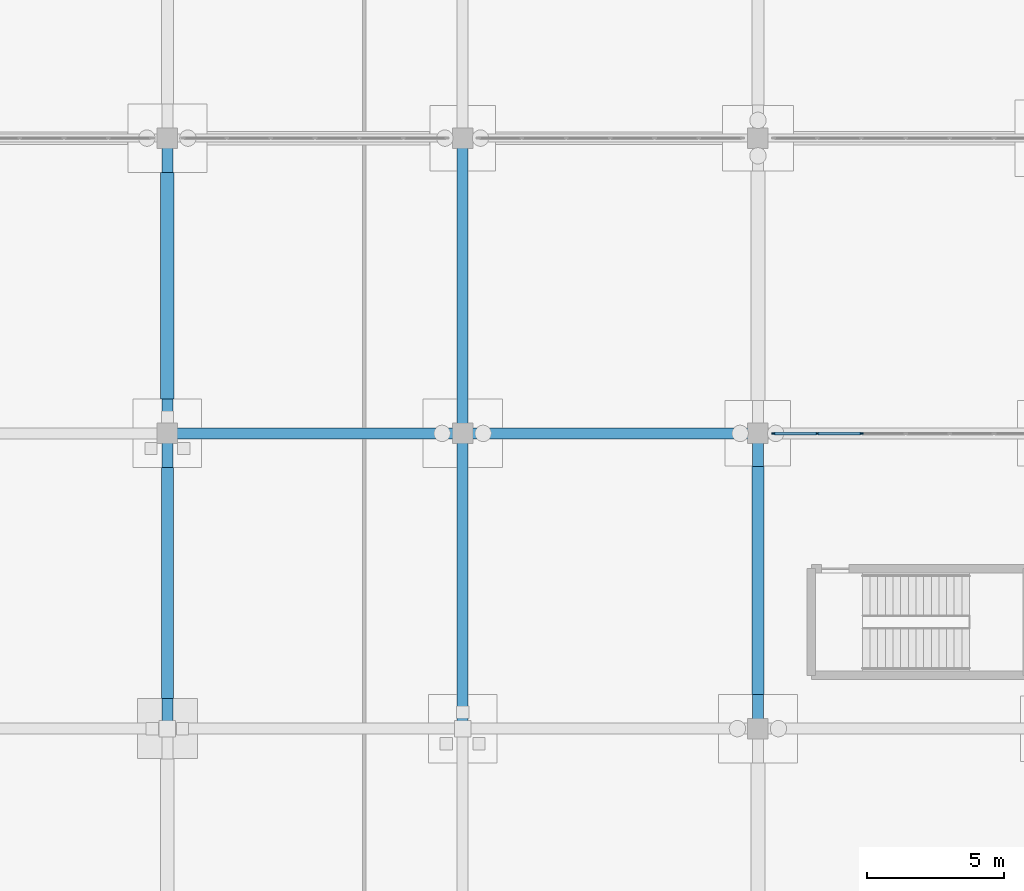
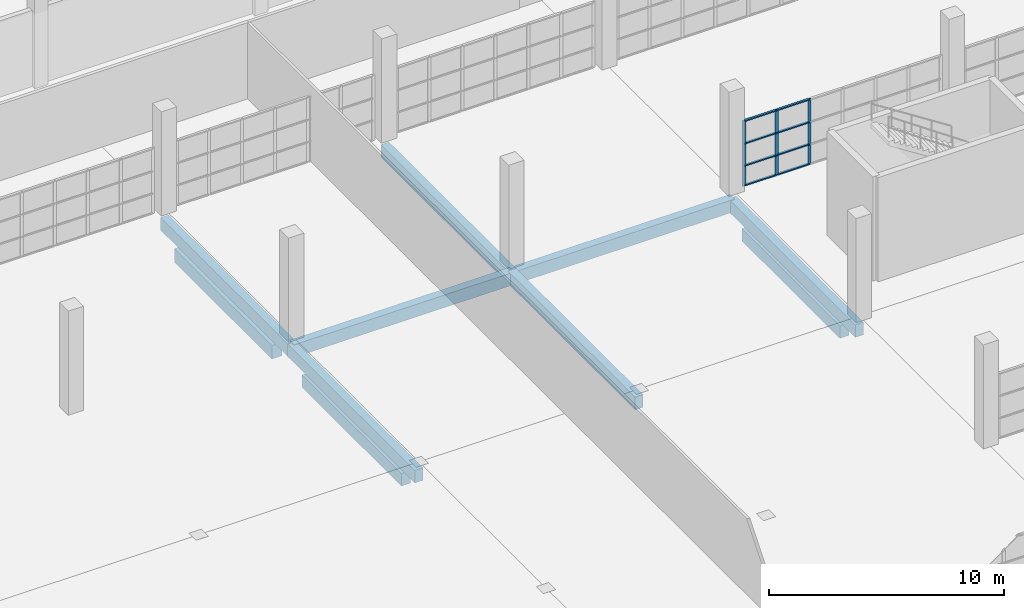
# One storey, part 70 of 138: 11 members, 10 beams, 1 element without a shape of its own.
"""IFC4 building model written with IfcOpenShell, lengths in metres."""

import ifcopenshell
import ifcopenshell.guid

model = None  # the IFC model being written
_history = None  # IfcOwnerHistory: only IFC2X3 demands one
_inside = {}  # id of a spatial element -> (the spatial element, [elements in it])
_under = {}  # id of a project, library or spatial element -> (it, [spatial elements below it])
_declared = {}  # id of a project -> (the project, [libraries it declares])
_typed = {}  # id of a type object -> (the type object, [elements of that type])
_made_of = {}  # id of a material, layer set ... -> (it, [elements and type objects made of it])


def new_model(schema):
    """Start an empty IFC model of exactly this schema.

    Asked for "IFC4X3", IfcOpenShell would pick the latest addendum, in which some entities
    have other attributes; the version numbers below select the first issue.
    IFC2X3 requires an IfcOwnerHistory on every rooted entity: one is made here for all.
    """
    global model, _history
    if schema == "IFC4X3":
        model = ifcopenshell.file(schema_version=(4, 3, 0, 0))
    else:
        model = ifcopenshell.file(schema=schema)
    _inside.clear()
    _under.clear()
    _declared.clear()
    _typed.clear()
    _made_of.clear()
    _history = None
    if model.schema == "IFC2X3":
        org = make("IfcOrganization", Name="unknown")
        user = make(
            "IfcPersonAndOrganization",
            ThePerson=make("IfcPerson", FamilyName="unknown"),
            TheOrganization=org,
        )
        app = make(
            "IfcApplication",
            ApplicationDeveloper=org,
            Version="unknown",
            ApplicationFullName="unknown",
            ApplicationIdentifier="unknown",
        )
        _history = make(
            "IfcOwnerHistory",
            OwningUser=user,
            OwningApplication=app,
            ChangeAction="ADDED",
            CreationDate=0,
        )
    return model


def make(cls, **values):
    """One entity of the class cls with the attributes given. An attribute that is None is left unset."""
    return model.create_entity(
        cls, **{name: value for name, value in values.items() if value is not None}
    )


def rooted(cls, **values):
    """An entity with a GlobalId (a new one), such as an element, a storey or a relation."""
    return make(cls, GlobalId=ifcopenshell.guid.new(), OwnerHistory=_history, **values)


def si_unit(unit_type, name, prefix=None):
    """IfcSIUnit, for example si_unit("LENGTHUNIT", "METRE", prefix="MILLI")."""
    return make("IfcSIUnit", UnitType=unit_type, Prefix=prefix, Name=name)


def assignment(units):
    """IfcUnitAssignment: the units of a project."""
    return None if units is None else make("IfcUnitAssignment", Units=units)


def point(xyz):
    """IfcCartesianPoint."""
    return None if xyz is None else make("IfcCartesianPoint", Coordinates=xyz)


def direction(xyz):
    """IfcDirection."""
    return None if xyz is None else make("IfcDirection", DirectionRatios=xyz)


def frame(location, z_axis=None, x_axis=None):
    """IfcAxis2Placement3D, a coordinate frame: its origin and axes. An axis left out is left unset."""
    return make(
        "IfcAxis2Placement3D",
        Location=point(location),
        Axis=direction(z_axis),
        RefDirection=direction(x_axis),
    )


def frame_2d(location, x_axis=None):
    """IfcAxis2Placement2D, a coordinate frame in the plane: its origin and x axis."""
    return make(
        "IfcAxis2Placement2D", Location=point(location), RefDirection=direction(x_axis)
    )


def origin():
    """The frame at (0, 0, 0) with its axes left unset."""
    return frame((0.0, 0.0, 0.0))


def origin_2d():
    """The frame at (0, 0) in the plane with its x axis left unset."""
    return frame_2d((0.0, 0.0))


def place(relative_to, where):
    """IfcLocalPlacement: puts the frame where relative to a parent placement (None: the world)."""
    return make(
        "IfcLocalPlacement", PlacementRelTo=relative_to, RelativePlacement=where
    )


def context(
    kind, dimensions, precision=None, world=None, true_north=None, identifier=None
):
    """IfcGeometricRepresentationContext, for example the 3D "Model" context."""
    return make(
        "IfcGeometricRepresentationContext",
        ContextIdentifier=identifier,
        ContextType=kind,
        CoordinateSpaceDimension=dimensions,
        Precision=precision,
        WorldCoordinateSystem=world,
        TrueNorth=true_north,
    )


def subcontext(parent, identifier, kind, view, scale=None):
    """IfcGeometricRepresentationSubContext, for example "Body" below "Model"."""
    return make(
        "IfcGeometricRepresentationSubContext",
        ContextIdentifier=identifier,
        ContextType=kind,
        ParentContext=parent,
        TargetScale=scale,
        TargetView=view,
    )


def project(units=None, contexts=None):
    """IfcProject with its units and contexts."""
    return rooted(
        "IfcProject",
        Name="project",
        RepresentationContexts=contexts,
        UnitsInContext=assignment(units),
    )


def spatial(cls, under=None, at=None, **own):
    """A site, building, storey or space (cls), placed at a placement, below another one or the project."""
    s = rooted(cls, ObjectPlacement=at, **own)
    if under is not None:
        _under.setdefault(under.id(), (under, []))[1].append(s)
    return s


def profile(cls, at=None, kind="AREA", **sizes):
    """A parametric profile (cls). Its sizes go by their IFC names, for example OverallWidth=200.0."""
    return make(cls, ProfileType=kind, Position=at, **sizes)


def rectangle(**sizes):
    """IfcRectangleProfileDef."""
    return profile("IfcRectangleProfileDef", **sizes)


def extrude(swept, where, along, depth):
    """IfcExtrudedAreaSolid: the profile swept, set in the frame where, extruded along a direction by depth."""
    return make(
        "IfcExtrudedAreaSolid",
        SweptArea=swept,
        Position=where,
        ExtrudedDirection=direction(along),
        Depth=depth,
    )


def shape(context_of_items, identifier, shape_type, items):
    """IfcShapeRepresentation: the items that make up one representation, for example the "Body"."""
    return make(
        "IfcShapeRepresentation",
        ContextOfItems=context_of_items,
        RepresentationIdentifier=identifier,
        RepresentationType=shape_type,
        Items=items,
    )


def material(Name=None, Category=None):
    """IfcMaterial."""
    return make("IfcMaterial", Name=Name, Category=Category)


def material_profile(
    of_material, cross_section, Name=None, Category=None, Priority=None
):
    """IfcMaterialProfile: a cross section and its material."""
    return make(
        "IfcMaterialProfile",
        Name=Name,
        Material=of_material,
        Profile=cross_section,
        Priority=Priority,
        Category=Category,
    )


def profile_set(profiles, Name=None, composite=None):
    """IfcMaterialProfileSet."""
    return make(
        "IfcMaterialProfileSet",
        Name=Name,
        MaterialProfiles=profiles,
        CompositeProfile=composite,
    )


def made_of(thing, what):
    """Note that an element or type object is made of a material, layer set ...; save() writes the relation."""
    if what is not None:
        _made_of.setdefault(what.id(), (what, []))[1].append(thing)
    return thing


def type_object(cls, material=None, **own):
    """A type object (cls), such as IfcWallType, which elements share."""
    return made_of(rooted(cls, **own), material)


def element(
    cls,
    number,
    at=None,
    inside=None,
    cuts=None,
    type_object=None,
    material=None,
    context=None,
    identifier="Body",
    shape_type=None,
    held_by="IfcProductDefinitionShape",
    body=None,
    shapes=None,
    **own,
):
    """One element of the class cls, such as IfcWall. Its Tag is "e" and its number.

    at: its placement. inside: the storey or other place that contains it. cuts: it is an
    opening in that element (IfcRelVoidsElement). A single representation is given by context,
    identifier, shape_type and body (its items); several are given by shapes. held_by: the class
    of the entity that holds the representations. save() writes the other relations.
    """
    e = rooted(cls, Tag="e%d" % number, ObjectPlacement=at, **own)
    if body is not None:
        shapes = [shape(context, identifier, shape_type, body)]
    if shapes is not None:
        e.Representation = make(held_by, Representations=shapes)
    if inside is not None:
        _inside.setdefault(inside.id(), (inside, []))[1].append(e)
    if cuts is not None:
        rooted(
            "IfcRelVoidsElement", RelatingBuildingElement=cuts, RelatedOpeningElement=e
        )
    if type_object is not None:
        _typed.setdefault(type_object.id(), (type_object, []))[1].append(e)
    return made_of(e, material)


def aggregate(whole, parts):
    """IfcRelAggregates: a whole, such as a stair, and the parts it consists of."""
    return rooted("IfcRelAggregates", RelatingObject=whole, RelatedObjects=parts)


def save(model, path):
    """Write the relations noted so far, then the file.

    IfcRelAggregates (storeys below a building ...), IfcRelContainedInSpatialStructure (elements
    in a storey), IfcRelDefinesByType, IfcRelAssociatesMaterial and IfcRelDeclares: one each for
    every whole, place, type object, material and project.
    """
    for whole, parts in _under.values():
        aggregate(whole, parts)
    for where, things in _inside.values():
        rooted(
            "IfcRelContainedInSpatialStructure",
            RelatedElements=things,
            RelatingStructure=where,
        )
    for kind, things in _typed.values():
        rooted("IfcRelDefinesByType", RelatedObjects=things, RelatingType=kind)
    for what, things in _made_of.values():
        rooted("IfcRelAssociatesMaterial", RelatedObjects=things, RelatingMaterial=what)
    for by, libraries in _declared.values():
        rooted("IfcRelDeclares", RelatingContext=by, RelatedDefinitions=libraries)
    model.write(path)


model = new_model("IFC4")

# Units and contexts
model_context = context("Model", 3, precision=1e-05, world=origin(), true_north=direction((0.0, 1.0)))
body_context = subcontext(model_context, "Body", "Model", "MODEL_VIEW")
ifc_project = project(units=[si_unit("LENGTHUNIT", "METRE"), si_unit("AREAUNIT", "SQUARE_METRE"), si_unit("VOLUMEUNIT", "CUBIC_METRE"), si_unit("PLANEANGLEUNIT", "RADIAN"), si_unit("MASSUNIT", "GRAM", prefix="KILO")], contexts=[model_context])

# Site, building, storey
site_placement = place(None, origin())
site = spatial("IfcSite", under=ifc_project, at=site_placement, CompositionType="ELEMENT")
building_placement = place(site_placement, origin())
building = spatial("IfcBuilding", under=site, at=building_placement, Name="Zwinboog Wholesale Market", CompositionType="ELEMENT")
storey_placement = place(building_placement, origin())
storey = spatial("IfcBuildingStorey", under=building, at=storey_placement, Name="L00", CompositionType="ELEMENT", Elevation=0.0)

# Beams
ifc_material_1 = material(Name="Precast concrete C45/55", Category="concrete")
ifc_material_profile_1 = material_profile(ifc_material_1, rectangle(XDim=0.39990234375, YDim=0.64990234375, at=origin_2d()), Name="PC 400x650")
ifc_profile_set_1 = profile_set([ifc_material_profile_1], Name="Precast concrete C45/55")
beam_type_1 = type_object("IfcBeamType", Name="BT-05", PredefinedType="BEAM", material=ifc_profile_set_1)
beam_1_placement = place(storey_placement, frame((129.60009765625, 86.39990234375, -0.68994140625), z_axis=(1.0, 0.0, 0.0), x_axis=(0.0, 1.0, 0.0)))
element("IfcBeam", 1, at=beam_1_placement, inside=storey, type_object=beam_type_1, Name="BG-05 (BMG-L00-1296-0864-0127)", PredefinedType="BEAM", context=body_context, shape_type="SweptSolid", body=[
    extrude(rectangle(XDim=0.39990234375, YDim=0.64990234375, at=origin_2d()), origin(), (0.0, 0.0, 1.0), 10.7998046875),
])
beam_2_placement = place(storey_placement, frame((140.39990234375, 86.39990234375, -0.68994140625), z_axis=(1.0, 0.0, 0.0), x_axis=(0.0, 1.0, 0.0)))
element("IfcBeam", 2, at=beam_2_placement, inside=storey, type_object=beam_type_1, Name="BG-05 (BMG-L00-1404-0864-0128)", PredefinedType="BEAM", context=body_context, shape_type="SweptSolid", body=[
    extrude(rectangle(XDim=0.39990234375, YDim=0.64990234375, at=origin_2d()), origin(), (0.0, 0.0, 1.0), 10.800048828125),
])
beam_3_placement = place(storey_placement, frame((129.60009765625, 75.60009765625, -0.705078125), z_axis=(0.0, 1.0, 0.0), x_axis=(-1.0, 0.0, 0.0)))
element("IfcBeam", 3, at=beam_3_placement, inside=storey, type_object=beam_type_1, Name="BG-05 (BMG-L00-1296-0756-0336)", PredefinedType="BEAM", context=body_context, shape_type="SweptSolid", body=[
    extrude(rectangle(XDim=0.39990234375, YDim=0.64990234375, at=origin_2d()), origin(), (0.0, 0.0, 1.0), 10.7998046875),
])
beam_4_placement = place(storey_placement, frame((129.60009765625, 86.39990234375, -0.68994140625), z_axis=(0.0, 1.0, 0.0), x_axis=(-1.0, 0.0, 0.0)))
element("IfcBeam", 4, at=beam_4_placement, inside=storey, type_object=beam_type_1, Name="BG-05 (BMG-L00-1296-0864-0337)", PredefinedType="BEAM", context=body_context, shape_type="SweptSolid", body=[
    extrude(rectangle(XDim=0.39990234375, YDim=0.64990234375, at=origin_2d()), origin(), (0.0, 0.0, 1.0), 10.800048828125),
])
beam_5_placement = place(storey_placement, frame((140.39990234375, 75.60009765625, -0.68994140625), z_axis=(0.0, 1.0, 0.0), x_axis=(-1.0, 0.0, 0.0)))
element("IfcBeam", 5, at=beam_5_placement, inside=storey, type_object=beam_type_1, Name="BG-05 (BMG-L00-1404-0756-0348)", PredefinedType="BEAM", context=body_context, shape_type="SweptSolid", body=[
    extrude(rectangle(XDim=0.39990234375, YDim=0.64990234375, at=origin_2d()), origin(), (0.0, 0.0, 1.0), 10.7998046875),
])
beam_6_placement = place(storey_placement, frame((140.39990234375, 86.39990234375, -0.68994140625), z_axis=(0.0, 1.0, 0.0), x_axis=(-1.0, 0.0, 0.0)))
element("IfcBeam", 6, at=beam_6_placement, inside=storey, type_object=beam_type_1, Name="BG-05 (BMG-L00-1404-0864-0349)", PredefinedType="BEAM", context=body_context, shape_type="SweptSolid", body=[
    extrude(rectangle(XDim=0.39990234375, YDim=0.64990234375, at=origin_2d()), origin(), (0.0, 0.0, 1.0), 10.800048828125),
])
beam_7_placement = place(storey_placement, frame((151.199951171875, 75.60009765625, -0.719970703125), z_axis=(0.0, 1.0, 0.0), x_axis=(-1.0, 0.0, 0.0)))
element("IfcBeam", 7, at=beam_7_placement, inside=storey, type_object=beam_type_1, Name="BG-05 (BMG-L00-1512-0756-0360)", PredefinedType="BEAM", context=body_context, shape_type="SweptSolid", body=[
    extrude(rectangle(XDim=0.39990234375, YDim=0.64990234375, at=origin_2d()), origin(), (0.0, 0.0, 1.0), 10.7998046875),
])
ifc_material_2 = material(Name="Concrete C35/45", Category="concrete")
ifc_material_profile_2 = material_profile(ifc_material_2, rectangle(XDim=0.5, YDim=0.699951171875, at=origin_2d()), Name="RC 500x700")
ifc_profile_set_2 = profile_set([ifc_material_profile_2], Name="Concrete C35/45")
beam_type_2 = type_object("IfcBeamType", Name="BT-12", PredefinedType="USERDEFINED", material=ifc_profile_set_2)
beam_8_placement = place(storey_placement, frame((129.60009765625, 87.655029296875, -1.550048828125), z_axis=(0.0, 1.0, 0.0), x_axis=(-1.0, 0.0, 0.0)))
element("IfcBeam", 8, at=beam_8_placement, inside=storey, type_object=beam_type_2, Name="GB-01 (BM-GB-0180)", ObjectType="GROUND_BEAM", PredefinedType="USERDEFINED", context=body_context, shape_type="SweptSolid", body=[
    extrude(rectangle(XDim=0.5, YDim=0.699951171875, at=origin_2d()), origin(), (0.0, 0.0, 1.0), 8.2900390625),
])
ifc_material_profile_3 = material_profile(ifc_material_2, rectangle(XDim=0.449951171875, YDim=0.64990234375, at=origin_2d()), Name="RC 450x650")
ifc_profile_set_3 = profile_set([ifc_material_profile_3], Name="Concrete C35/45")
beam_type_3 = type_object("IfcBeamType", Name="BT-13", PredefinedType="USERDEFINED", material=ifc_profile_set_3)
beam_9_placement = place(storey_placement, frame((129.60009765625, 76.705078125, -1.52490234375), z_axis=(0.0, 1.0, 0.0), x_axis=(-1.0, 0.0, 0.0)))
element("IfcBeam", 9, at=beam_9_placement, inside=storey, type_object=beam_type_3, Name="GB-02 (BM-GB-0179)", ObjectType="GROUND_BEAM", PredefinedType="USERDEFINED", context=body_context, shape_type="SweptSolid", body=[
    extrude(rectangle(XDim=0.449951171875, YDim=0.64990234375, at=origin_2d()), origin(), (0.0, 0.0, 1.0), 8.43994140625),
])
beam_10_placement = place(storey_placement, frame((151.199951171875, 76.85498046875, -1.52490234375), z_axis=(0.0, 1.0, 0.0), x_axis=(-1.0, 0.0, 0.0)))
element("IfcBeam", 10, at=beam_10_placement, inside=storey, type_object=beam_type_3, Name="GB-02 (BM-GB-0191)", ObjectType="GROUND_BEAM", PredefinedType="USERDEFINED", context=body_context, shape_type="SweptSolid", body=[
    extrude(rectangle(XDim=0.449951171875, YDim=0.64990234375, at=origin_2d()), origin(), (0.0, 0.0, 1.0), 8.340087890625),
])

# Curtain wall, members
ifc_material_3 = material(Name="Aluminium thermally broken curtain wall", Category="aluminium")
curtain_wall_type = type_object("IfcCurtainWallType", Name="CWT-INT-STALL", PredefinedType="USERDEFINED", material=ifc_material_3)
curtain_wall_placement = place(storey_placement, origin())
curtain_wall = element("IfcCurtainWall", 11, at=curtain_wall_placement, inside=storey, type_object=curtain_wall_type, Name="CW-07 (CW-STL-197)", ObjectType="STOREFRONT_GLAZING", PredefinedType="USERDEFINED")
ifc_material_4 = material(Name="Aluminium EN AW-6060", Category="aluminium")
ifc_material_profile_4 = material_profile(ifc_material_4, rectangle(XDim=0.06005859375, YDim=0.14990234375, at=origin_2d()), Name="AL 60x150")
ifc_profile_set_4 = profile_set([ifc_material_profile_4], Name="Aluminium EN AW-6060")
member_type_1 = type_object("IfcMemberType", Name="CWM-INT-60x120", PredefinedType="MULLION", material=ifc_profile_set_4)
member_1_placement = place(storey_placement, frame((151.780029296875, 86.39990234375, 0.0), z_axis=(0.0, 0.0, 1.0), x_axis=(0.0, 1.0, 0.0)))
member_1 = element("IfcMember", 12, at=member_1_placement, type_object=member_type_1, Name="CW-07 mullion 1", PredefinedType="MULLION", context=body_context, shape_type="SweptSolid", body=[
    extrude(rectangle(XDim=0.06005859375, YDim=0.14990234375, at=origin_2d()), origin(), (0.0, 0.0, 1.0), 3.39990234375),
])
member_2_placement = place(storey_placement, frame((153.36669921875, 86.39990234375, 0.0), z_axis=(0.0, 0.0, 1.0), x_axis=(0.0, 1.0, 0.0)))
member_2 = element("IfcMember", 13, at=member_2_placement, type_object=member_type_1, Name="CW-07 mullion 2", PredefinedType="MULLION", context=body_context, shape_type="SweptSolid", body=[
    extrude(rectangle(XDim=0.06005859375, YDim=0.14990234375, at=origin_2d()), origin(), (0.0, 0.0, 1.0), 3.39990234375),
])
member_3_placement = place(storey_placement, frame((154.9833984375, 86.39990234375, 0.0), z_axis=(0.0, 0.0, 1.0), x_axis=(0.0, 1.0, 0.0)))
member_3 = element("IfcMember", 14, at=member_3_placement, type_object=member_type_1, Name="CW-07 mullion 3", PredefinedType="MULLION", context=body_context, shape_type="SweptSolid", body=[
    extrude(rectangle(XDim=0.06005859375, YDim=0.14990234375, at=origin_2d()), origin(), (0.0, 0.0, 1.0), 3.39990234375),
])
ifc_material_profile_5 = material_profile(ifc_material_4, rectangle(XDim=0.110107421875, YDim=0.06005859375, at=origin_2d()), Name="AL 60x110")
ifc_profile_set_5 = profile_set([ifc_material_profile_5], Name="Aluminium EN AW-6060")
member_type_2 = type_object("IfcMemberType", Name="CWT-INT-60x100", PredefinedType="USERDEFINED", material=ifc_profile_set_5)
member_4_placement = place(storey_placement, frame((151.81005859375, 86.39990234375, 0.030029296875), z_axis=(1.0, 0.0, 0.0), x_axis=(0.0, 1.0, 0.0)))
member_4 = element("IfcMember", 15, at=member_4_placement, type_object=member_type_2, Name="CW-07 transom 1.1", ObjectType="TRANSOM", PredefinedType="USERDEFINED", context=body_context, shape_type="SweptSolid", body=[
    extrude(rectangle(XDim=0.110107421875, YDim=0.06005859375, at=origin_2d()), origin(), (0.0, 0.0, 1.0), 1.526611328125),
])
member_5_placement = place(storey_placement, frame((151.81005859375, 86.39990234375, 1.050048828125), z_axis=(1.0, 0.0, 0.0), x_axis=(0.0, 1.0, 0.0)))
member_5 = element("IfcMember", 16, at=member_5_placement, type_object=member_type_2, Name="CW-07 transom 1.2", ObjectType="TRANSOM", PredefinedType="USERDEFINED", context=body_context, shape_type="SweptSolid", body=[
    extrude(rectangle(XDim=0.110107421875, YDim=0.06005859375, at=origin_2d()), origin(), (0.0, 0.0, 1.0), 1.526611328125),
])
member_6_placement = place(storey_placement, frame((151.81005859375, 86.39990234375, 2.199951171875), z_axis=(1.0, 0.0, 0.0), x_axis=(0.0, 1.0, 0.0)))
member_6 = element("IfcMember", 17, at=member_6_placement, type_object=member_type_2, Name="CW-07 transom 1.3", ObjectType="TRANSOM", PredefinedType="USERDEFINED", context=body_context, shape_type="SweptSolid", body=[
    extrude(rectangle(XDim=0.110107421875, YDim=0.06005859375, at=origin_2d()), origin(), (0.0, 0.0, 1.0), 1.526611328125),
])
member_7_placement = place(storey_placement, frame((151.81005859375, 86.39990234375, 3.3701171875), z_axis=(1.0, 0.0, 0.0), x_axis=(0.0, 1.0, 0.0)))
member_7 = element("IfcMember", 18, at=member_7_placement, type_object=member_type_2, Name="CW-07 transom 1.4", ObjectType="TRANSOM", PredefinedType="USERDEFINED", context=body_context, shape_type="SweptSolid", body=[
    extrude(rectangle(XDim=0.110107421875, YDim=0.06005859375, at=origin_2d()), origin(), (0.0, 0.0, 1.0), 1.526611328125),
])
member_8_placement = place(storey_placement, frame((153.396728515625, 86.39990234375, 0.030029296875), z_axis=(1.0, 0.0, 0.0), x_axis=(0.0, 1.0, 0.0)))
member_8 = element("IfcMember", 19, at=member_8_placement, type_object=member_type_2, Name="CW-07 transom 2.1", ObjectType="TRANSOM", PredefinedType="USERDEFINED", context=body_context, shape_type="SweptSolid", body=[
    extrude(rectangle(XDim=0.110107421875, YDim=0.06005859375, at=origin_2d()), origin(), (0.0, 0.0, 1.0), 1.556640625),
])
member_9_placement = place(storey_placement, frame((153.396728515625, 86.39990234375, 1.050048828125), z_axis=(1.0, 0.0, 0.0), x_axis=(0.0, 1.0, 0.0)))
member_9 = element("IfcMember", 20, at=member_9_placement, type_object=member_type_2, Name="CW-07 transom 2.2", ObjectType="TRANSOM", PredefinedType="USERDEFINED", context=body_context, shape_type="SweptSolid", body=[
    extrude(rectangle(XDim=0.110107421875, YDim=0.06005859375, at=origin_2d()), origin(), (0.0, 0.0, 1.0), 1.556640625),
])
member_10_placement = place(storey_placement, frame((153.396728515625, 86.39990234375, 2.199951171875), z_axis=(1.0, 0.0, 0.0), x_axis=(0.0, 1.0, 0.0)))
member_10 = element("IfcMember", 21, at=member_10_placement, type_object=member_type_2, Name="CW-07 transom 2.3", ObjectType="TRANSOM", PredefinedType="USERDEFINED", context=body_context, shape_type="SweptSolid", body=[
    extrude(rectangle(XDim=0.110107421875, YDim=0.06005859375, at=origin_2d()), origin(), (0.0, 0.0, 1.0), 1.556640625),
])
member_11_placement = place(storey_placement, frame((153.396728515625, 86.39990234375, 3.3701171875), z_axis=(1.0, 0.0, 0.0), x_axis=(0.0, 1.0, 0.0)))
member_11 = element("IfcMember", 22, at=member_11_placement, type_object=member_type_2, Name="CW-07 transom 2.4", ObjectType="TRANSOM", PredefinedType="USERDEFINED", context=body_context, shape_type="SweptSolid", body=[
    extrude(rectangle(XDim=0.110107421875, YDim=0.06005859375, at=origin_2d()), origin(), (0.0, 0.0, 1.0), 1.556640625),
])
aggregate(curtain_wall, [member_1, member_2, member_3, member_4, member_5, member_6, member_7, member_8, member_9, member_10, member_11])

save(model, "model.ifc")
